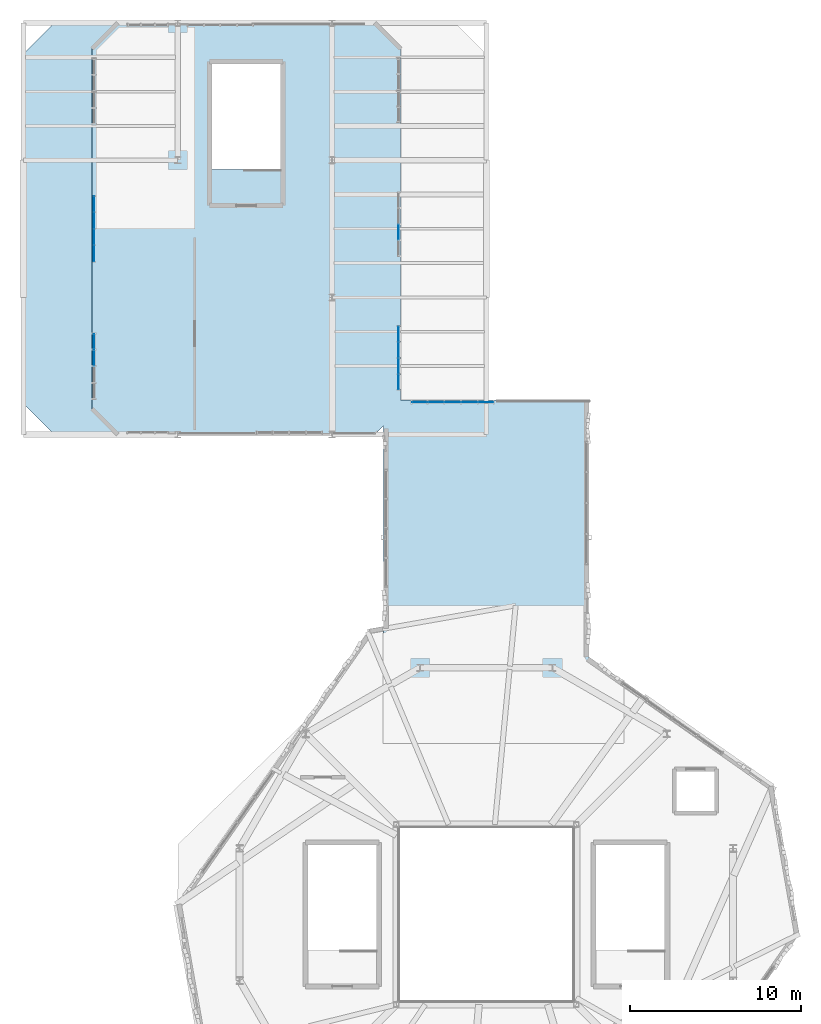
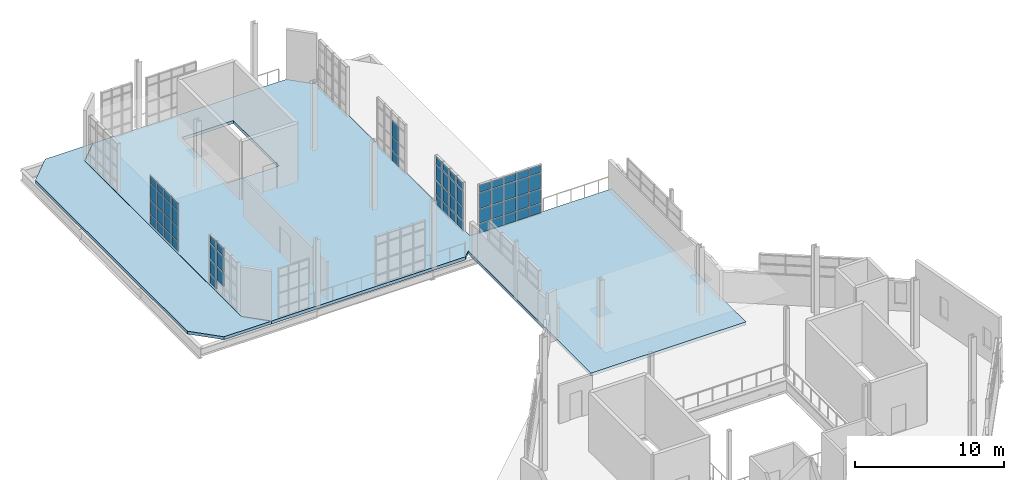
# One storey, part 29 of 36: 62 plates, 2 slabs, 5 elements without a shape of their own.
"""IFC4 building model written with IfcOpenShell, lengths in metres."""

from ifc_helpers import new_model, si_unit, direction, frame, origin, origin_2d, place, context, subcontext, project, spatial, polyline, rectangle, outline, extrude, material, layer, layer_set, type_object, element, aggregate, save


model = new_model("IFC4")

# Units and contexts
model_context = context("Model", 3, precision=1e-05, world=origin(), true_north=direction((0.0, 1.0)))
body_context = subcontext(model_context, "Body", "Model", "MODEL_VIEW")
ifc_project = project(units=[si_unit("LENGTHUNIT", "METRE"), si_unit("AREAUNIT", "SQUARE_METRE"), si_unit("VOLUMEUNIT", "CUBIC_METRE"), si_unit("PLANEANGLEUNIT", "RADIAN"), si_unit("MASSUNIT", "GRAM", prefix="KILO"), si_unit("THERMODYNAMICTEMPERATUREUNIT", "KELVIN"), si_unit("POWERUNIT", "WATT")], contexts=[model_context])

# Site, building, storey
site_placement = place(None, origin())
site = spatial("IfcSite", under=ifc_project, at=site_placement, CompositionType="ELEMENT")
building_placement = place(site_placement, origin())
building = spatial("IfcBuilding", under=site, at=building_placement, Name="Zelmaris Science Centre", CompositionType="ELEMENT")
storey_placement = place(building_placement, frame((0.0, 0.0, 25.199951171875)))
storey = spatial("IfcBuildingStorey", under=building, at=storey_placement, Name="L05", CompositionType="ELEMENT", Elevation=25.199951171875)

# Curtain wall, plates
ifc_material_1 = material(Name="Anodised architectural aluminium 6063-T6", Category="aluminium")
ifc_layer_1 = layer(ifc_material_1, 0.18994140625, Name="Anodised architectural aluminium 6063-T6")
ifc_layer_set_1 = layer_set([ifc_layer_1], Name="Anodised architectural aluminium 6063-T6")
curtain_wall_type_1 = type_object("IfcCurtainWallType", Name="Curtain Wall CW-01", PredefinedType="USERDEFINED", material=ifc_layer_set_1)
curtain_wall_1_placement = place(storey_placement, origin())
curtain_wall_1 = element("IfcCurtainWall", 1, at=curtain_wall_1_placement, inside=storey, type_object=curtain_wall_type_1, Name="L05 Unitised curtain wall 365", ObjectType="GLAZED CURTAIN WALL", PredefinedType="USERDEFINED")
ifc_material_2 = material(Name="Laminated hurricane-rated low-E insulated glazing", Category="glass")
ifc_layer_2 = layer(ifc_material_2, 0.031982421875, Name="Laminated hurricane-rated low-E insulated glazing")
ifc_layer_set_2 = layer_set([ifc_layer_2], Name="Laminated hurricane-rated low-E insulated glazing")
plate_type_1 = type_object("IfcPlateType", Name="Curtain Glazing Panel CWP-1 32mm", PredefinedType="CURTAIN_PANEL", material=ifc_layer_set_2)
plate_1_placement = place(storey_placement, frame((75.885498046875, 69.86279296875, 0.05712890625), z_axis=(0.0, 0.0, 1.0), x_axis=(0.00039662601, -0.999999921344, 0.0)))
plate_1 = element("IfcPlate", 2, at=plate_1_placement, type_object=plate_type_1, Name="CW-01 panel 1.1", PredefinedType="CURTAIN_PANEL", context=body_context, shape_type="SweptSolid", body=[
    extrude(rectangle(XDim=0.83740234375, YDim=0.031982421875, at=origin_2d()), origin(), (0.0, 0.0, 1.0), 0.741943359375),
])
plate_2_placement = place(storey_placement, frame((75.885498046875, 69.86279296875, 0.87109375), z_axis=(0.0, 0.0, 1.0), x_axis=(0.00039662601, -0.999999921344, 0.0)))
plate_2 = element("IfcPlate", 3, at=plate_2_placement, type_object=plate_type_1, Name="CW-01 panel 1.2", PredefinedType="CURTAIN_PANEL", context=body_context, shape_type="SweptSolid", body=[
    extrude(rectangle(XDim=0.83740234375, YDim=0.031982421875, at=origin_2d()), origin(), (0.0, 0.0, 1.0), 1.10546875),
])
plate_3_placement = place(storey_placement, frame((75.885498046875, 69.86279296875, 2.04833984375), z_axis=(0.0, 0.0, 1.0), x_axis=(0.00039662601, -0.999999921344, 0.0)))
plate_3 = element("IfcPlate", 4, at=plate_3_placement, type_object=plate_type_1, Name="CW-01 panel 1.3", PredefinedType="CURTAIN_PANEL", context=body_context, shape_type="SweptSolid", body=[
    extrude(rectangle(XDim=0.83740234375, YDim=0.031982421875, at=origin_2d()), origin(), (0.0, 0.0, 1.0), 1.255615234375),
])
plate_4_placement = place(storey_placement, frame((75.885498046875, 69.86279296875, 3.3759765625), z_axis=(0.0, 0.0, 1.0), x_axis=(0.00039662601, -0.999999921344, 0.0)))
plate_4 = element("IfcPlate", 5, at=plate_4_placement, type_object=plate_type_1, Name="CW-01 panel 1.4", PredefinedType="CURTAIN_PANEL", context=body_context, shape_type="SweptSolid", body=[
    extrude(rectangle(XDim=0.83740234375, YDim=0.031982421875, at=origin_2d()), origin(), (0.0, 0.0, 1.0), 0.592041015625),
])
plate_5_placement = place(storey_placement, frame((75.885986328125, 68.935302734375, 0.05712890625), z_axis=(0.0, 0.0, 1.0), x_axis=(0.00039662601, -0.999999921344, 0.0)))
plate_5 = element("IfcPlate", 6, at=plate_5_placement, type_object=plate_type_1, Name="CW-01 panel 2.1", PredefinedType="CURTAIN_PANEL", context=body_context, shape_type="SweptSolid", body=[
    extrude(rectangle(XDim=0.87353515625, YDim=0.031982421875, at=origin_2d()), origin(), (0.0, 0.0, 1.0), 0.741943359375),
])
plate_6_placement = place(storey_placement, frame((75.885986328125, 68.935302734375, 0.87109375), z_axis=(0.0, 0.0, 1.0), x_axis=(0.00039662601, -0.999999921344, 0.0)))
plate_6 = element("IfcPlate", 7, at=plate_6_placement, type_object=plate_type_1, Name="CW-01 panel 2.2", PredefinedType="CURTAIN_PANEL", context=body_context, shape_type="SweptSolid", body=[
    extrude(rectangle(XDim=0.87353515625, YDim=0.031982421875, at=origin_2d()), origin(), (0.0, 0.0, 1.0), 1.10546875),
])
plate_7_placement = place(storey_placement, frame((75.885986328125, 68.935302734375, 2.04833984375), z_axis=(0.0, 0.0, 1.0), x_axis=(0.00039662601, -0.999999921344, 0.0)))
plate_7 = element("IfcPlate", 8, at=plate_7_placement, type_object=plate_type_1, Name="CW-01 panel 2.3", PredefinedType="CURTAIN_PANEL", context=body_context, shape_type="SweptSolid", body=[
    extrude(rectangle(XDim=0.87353515625, YDim=0.031982421875, at=origin_2d()), origin(), (0.0, 0.0, 1.0), 1.255615234375),
])
plate_8_placement = place(storey_placement, frame((75.885986328125, 68.935302734375, 3.3759765625), z_axis=(0.0, 0.0, 1.0), x_axis=(0.00039662601, -0.999999921344, 0.0)))
plate_8 = element("IfcPlate", 9, at=plate_8_placement, type_object=plate_type_1, Name="CW-01 panel 2.4", PredefinedType="CURTAIN_PANEL", context=body_context, shape_type="SweptSolid", body=[
    extrude(rectangle(XDim=0.87353515625, YDim=0.031982421875, at=origin_2d()), origin(), (0.0, 0.0, 1.0), 0.592041015625),
])
plate_9_placement = place(storey_placement, frame((75.88623046875, 67.989990234375, 0.05712890625), z_axis=(0.0, 0.0, 1.0), x_axis=(0.00039662601, -0.999999921344, 0.0)))
plate_9 = element("IfcPlate", 10, at=plate_9_placement, type_object=plate_type_1, Name="CW-01 panel 3.1", PredefinedType="CURTAIN_PANEL", context=body_context, shape_type="SweptSolid", body=[
    extrude(rectangle(XDim=0.87353515625, YDim=0.031982421875, at=origin_2d()), origin(), (0.0, 0.0, 1.0), 0.741943359375),
])
plate_10_placement = place(storey_placement, frame((75.88623046875, 67.989990234375, 0.87109375), z_axis=(0.0, 0.0, 1.0), x_axis=(0.00039662601, -0.999999921344, 0.0)))
plate_10 = element("IfcPlate", 11, at=plate_10_placement, type_object=plate_type_1, Name="CW-01 panel 3.2", PredefinedType="CURTAIN_PANEL", context=body_context, shape_type="SweptSolid", body=[
    extrude(rectangle(XDim=0.87353515625, YDim=0.031982421875, at=origin_2d()), origin(), (0.0, 0.0, 1.0), 1.10546875),
])
plate_11_placement = place(storey_placement, frame((75.88623046875, 67.989990234375, 2.04833984375), z_axis=(0.0, 0.0, 1.0), x_axis=(0.00039662601, -0.999999921344, 0.0)))
plate_11 = element("IfcPlate", 12, at=plate_11_placement, type_object=plate_type_1, Name="CW-01 panel 3.3", PredefinedType="CURTAIN_PANEL", context=body_context, shape_type="SweptSolid", body=[
    extrude(rectangle(XDim=0.87353515625, YDim=0.031982421875, at=origin_2d()), origin(), (0.0, 0.0, 1.0), 1.255615234375),
])
plate_12_placement = place(storey_placement, frame((75.88623046875, 67.989990234375, 3.3759765625), z_axis=(0.0, 0.0, 1.0), x_axis=(0.00039662601, -0.999999921344, 0.0)))
plate_12 = element("IfcPlate", 13, at=plate_12_placement, type_object=plate_type_1, Name="CW-01 panel 3.4", PredefinedType="CURTAIN_PANEL", context=body_context, shape_type="SweptSolid", body=[
    extrude(rectangle(XDim=0.87353515625, YDim=0.031982421875, at=origin_2d()), origin(), (0.0, 0.0, 1.0), 0.592041015625),
])
plate_13_placement = place(storey_placement, frame((75.88671875, 67.0625, 0.05712890625), z_axis=(0.0, 0.0, 1.0), x_axis=(0.00039662601, -0.999999921344, 0.0)))
plate_13 = element("IfcPlate", 14, at=plate_13_placement, type_object=plate_type_1, Name="CW-01 panel 4.1", PredefinedType="CURTAIN_PANEL", context=body_context, shape_type="SweptSolid", body=[
    extrude(rectangle(XDim=0.83740234375, YDim=0.031982421875, at=origin_2d()), origin(), (0.0, 0.0, 1.0), 0.741943359375),
])
plate_14_placement = place(storey_placement, frame((75.88671875, 67.0625, 0.87109375), z_axis=(0.0, 0.0, 1.0), x_axis=(0.00039662601, -0.999999921344, 0.0)))
plate_14 = element("IfcPlate", 15, at=plate_14_placement, type_object=plate_type_1, Name="CW-01 panel 4.2", PredefinedType="CURTAIN_PANEL", context=body_context, shape_type="SweptSolid", body=[
    extrude(rectangle(XDim=0.83740234375, YDim=0.031982421875, at=origin_2d()), origin(), (0.0, 0.0, 1.0), 1.10546875),
])
plate_15_placement = place(storey_placement, frame((75.88671875, 67.0625, 2.04833984375), z_axis=(0.0, 0.0, 1.0), x_axis=(0.00039662601, -0.999999921344, 0.0)))
plate_15 = element("IfcPlate", 16, at=plate_15_placement, type_object=plate_type_1, Name="CW-01 panel 4.3", PredefinedType="CURTAIN_PANEL", context=body_context, shape_type="SweptSolid", body=[
    extrude(rectangle(XDim=0.83740234375, YDim=0.031982421875, at=origin_2d()), origin(), (0.0, 0.0, 1.0), 1.255615234375),
])
plate_16_placement = place(storey_placement, frame((75.88671875, 67.0625, 3.3759765625), z_axis=(0.0, 0.0, 1.0), x_axis=(0.00039662601, -0.999999921344, 0.0)))
plate_16 = element("IfcPlate", 17, at=plate_16_placement, type_object=plate_type_1, Name="CW-01 panel 4.4", PredefinedType="CURTAIN_PANEL", context=body_context, shape_type="SweptSolid", body=[
    extrude(rectangle(XDim=0.83740234375, YDim=0.031982421875, at=origin_2d()), origin(), (0.0, 0.0, 1.0), 0.592041015625),
])
aggregate(curtain_wall_1, [plate_1, plate_2, plate_3, plate_4, plate_5, plate_6, plate_7, plate_8, plate_9, plate_10, plate_11, plate_12, plate_13, plate_14, plate_15, plate_16])

curtain_wall_2_placement = place(storey_placement, origin())
curtain_wall_2 = element("IfcCurtainWall", 18, at=curtain_wall_2_placement, inside=storey, type_object=curtain_wall_type_1, Name="L05 Unitised curtain wall 377", ObjectType="GLAZED CURTAIN WALL", PredefinedType="USERDEFINED")
plate_17_placement = place(storey_placement, frame((58.1201171875, 68.4697265625, 0.87109375), z_axis=(0.0, 0.0, 1.0), x_axis=(0.0, 1.0, 0.0)))
plate_17 = element("IfcPlate", 19, at=plate_17_placement, type_object=plate_type_1, Name="CW-01 panel 3.2", PredefinedType="CURTAIN_PANEL", context=body_context, shape_type="SweptSolid", body=[
    extrude(rectangle(XDim=0.89990234375, YDim=0.031982421875, at=origin_2d()), origin(), (0.0, 0.0, 1.0), 1.10546875),
])
plate_18_placement = place(storey_placement, frame((58.1201171875, 68.4697265625, 2.04833984375), z_axis=(0.0, 0.0, 1.0), x_axis=(0.0, 1.0, 0.0)))
plate_18 = element("IfcPlate", 20, at=plate_18_placement, type_object=plate_type_1, Name="CW-01 panel 3.3", PredefinedType="CURTAIN_PANEL", context=body_context, shape_type="SweptSolid", body=[
    extrude(rectangle(XDim=0.89990234375, YDim=0.031982421875, at=origin_2d()), origin(), (0.0, 0.0, 1.0), 1.255615234375),
])
plate_19_placement = place(storey_placement, frame((58.1201171875, 68.4697265625, 3.3759765625), z_axis=(0.0, 0.0, 1.0), x_axis=(0.0, 1.0, 0.0)))
plate_19 = element("IfcPlate", 21, at=plate_19_placement, type_object=plate_type_1, Name="CW-01 panel 3.4", PredefinedType="CURTAIN_PANEL", context=body_context, shape_type="SweptSolid", body=[
    extrude(rectangle(XDim=0.89990234375, YDim=0.031982421875, at=origin_2d()), origin(), (0.0, 0.0, 1.0), 0.592041015625),
])
plate_20_placement = place(storey_placement, frame((58.1201171875, 69.423828125, 0.05712890625), z_axis=(0.0, 0.0, 1.0), x_axis=(0.0, 1.0, 0.0)))
plate_20 = element("IfcPlate", 22, at=plate_20_placement, type_object=plate_type_1, Name="CW-01 panel 4.1", PredefinedType="CURTAIN_PANEL", context=body_context, shape_type="SweptSolid", body=[
    extrude(rectangle(XDim=0.864013671875, YDim=0.031982421875, at=origin_2d()), origin(), (0.0, 0.0, 1.0), 0.741943359375),
])
plate_21_placement = place(storey_placement, frame((58.1201171875, 69.423828125, 0.87109375), z_axis=(0.0, 0.0, 1.0), x_axis=(0.0, 1.0, 0.0)))
plate_21 = element("IfcPlate", 23, at=plate_21_placement, type_object=plate_type_1, Name="CW-01 panel 4.2", PredefinedType="CURTAIN_PANEL", context=body_context, shape_type="SweptSolid", body=[
    extrude(rectangle(XDim=0.864013671875, YDim=0.031982421875, at=origin_2d()), origin(), (0.0, 0.0, 1.0), 1.10546875),
])
plate_22_placement = place(storey_placement, frame((58.1201171875, 69.423828125, 2.04833984375), z_axis=(0.0, 0.0, 1.0), x_axis=(0.0, 1.0, 0.0)))
plate_22 = element("IfcPlate", 24, at=plate_22_placement, type_object=plate_type_1, Name="CW-01 panel 4.3", PredefinedType="CURTAIN_PANEL", context=body_context, shape_type="SweptSolid", body=[
    extrude(rectangle(XDim=0.864013671875, YDim=0.031982421875, at=origin_2d()), origin(), (0.0, 0.0, 1.0), 1.255615234375),
])
plate_23_placement = place(storey_placement, frame((58.1201171875, 69.423828125, 3.3759765625), z_axis=(0.0, 0.0, 1.0), x_axis=(0.0, 1.0, 0.0)))
plate_23 = element("IfcPlate", 25, at=plate_23_placement, type_object=plate_type_1, Name="CW-01 panel 4.4", PredefinedType="CURTAIN_PANEL", context=body_context, shape_type="SweptSolid", body=[
    extrude(rectangle(XDim=0.864013671875, YDim=0.031982421875, at=origin_2d()), origin(), (0.0, 0.0, 1.0), 0.592041015625),
])
aggregate(curtain_wall_2, [plate_17, plate_18, plate_19, plate_20, plate_21, plate_22, plate_23])

ifc_layer_3 = layer(ifc_material_1, 0.199951171875, Name="Anodised architectural aluminium 6063-T6")
ifc_layer_set_3 = layer_set([ifc_layer_3], Name="Anodised architectural aluminium 6063-T6")
curtain_wall_type_2 = type_object("IfcCurtainWallType", Name="Curtain Wall CW-02", PredefinedType="USERDEFINED", material=ifc_layer_set_3)
curtain_wall_3_placement = place(storey_placement, origin())
curtain_wall_3 = element("IfcCurtainWall", 26, at=curtain_wall_3_placement, inside=storey, type_object=curtain_wall_type_2, Name="L05 Unitised curtain wall 366", ObjectType="GLAZED CURTAIN WALL", PredefinedType="USERDEFINED")
ifc_layer_4 = layer(ifc_material_2, 0.028076171875, Name="Laminated hurricane-rated low-E insulated glazing")
ifc_layer_set_4 = layer_set([ifc_layer_4], Name="Laminated hurricane-rated low-E insulated glazing")
plate_type_2 = type_object("IfcPlateType", Name="Curtain Glazing Panel CWP-2 28mm", PredefinedType="CURTAIN_PANEL", material=ifc_layer_set_4)
plate_24_placement = place(storey_placement, frame((77.103759765625, 65.8798828125, 0.052001953125), z_axis=(0.0, 0.0, 1.0), x_axis=(1.0, 0.0, 0.0)))
plate_24 = element("IfcPlate", 27, at=plate_24_placement, type_object=plate_type_2, Name="CW-02 panel 1.1", PredefinedType="CURTAIN_PANEL", context=body_context, shape_type="SweptSolid", body=[
    extrude(rectangle(XDim=0.87353515625, YDim=0.028076171875, at=origin_2d()), origin(), (0.0, 0.0, 1.0), 0.74951171875),
])
plate_25_placement = place(storey_placement, frame((77.103759765625, 65.8798828125, 0.86865234375), z_axis=(0.0, 0.0, 1.0), x_axis=(1.0, 0.0, 0.0)))
plate_25 = element("IfcPlate", 28, at=plate_25_placement, type_object=plate_type_2, Name="CW-02 panel 1.2", PredefinedType="CURTAIN_PANEL", context=body_context, shape_type="SweptSolid", body=[
    extrude(rectangle(XDim=0.87353515625, YDim=0.028076171875, at=origin_2d()), origin(), (0.0, 0.0, 1.0), 1.110595703125),
])
plate_26_placement = place(storey_placement, frame((77.103759765625, 65.8798828125, 2.0458984375), z_axis=(0.0, 0.0, 1.0), x_axis=(1.0, 0.0, 0.0)))
plate_26 = element("IfcPlate", 29, at=plate_26_placement, type_object=plate_type_2, Name="CW-02 panel 1.3", PredefinedType="CURTAIN_PANEL", context=body_context, shape_type="SweptSolid", body=[
    extrude(rectangle(XDim=0.87353515625, YDim=0.028076171875, at=origin_2d()), origin(), (0.0, 0.0, 1.0), 1.260498046875),
])
plate_27_placement = place(storey_placement, frame((77.103759765625, 65.8798828125, 3.37353515625), z_axis=(0.0, 0.0, 1.0), x_axis=(1.0, 0.0, 0.0)))
plate_27 = element("IfcPlate", 30, at=plate_27_placement, type_object=plate_type_2, Name="CW-02 panel 1.4", PredefinedType="CURTAIN_PANEL", context=body_context, shape_type="SweptSolid", body=[
    extrude(rectangle(XDim=0.87353515625, YDim=0.028076171875, at=origin_2d()), origin(), (0.0, 0.0, 1.0), 0.599609375),
])
plate_28_placement = place(storey_placement, frame((78.06103515625, 65.8798828125, 0.052001953125), z_axis=(0.0, 0.0, 1.0), x_axis=(1.0, 0.0, 0.0)))
plate_28 = element("IfcPlate", 31, at=plate_28_placement, type_object=plate_type_2, Name="CW-02 panel 2.1", PredefinedType="CURTAIN_PANEL", context=body_context, shape_type="SweptSolid", body=[
    extrude(rectangle(XDim=0.906982421875, YDim=0.028076171875, at=origin_2d()), origin(), (0.0, 0.0, 1.0), 0.74951171875),
])
plate_29_placement = place(storey_placement, frame((78.06103515625, 65.8798828125, 0.86865234375), z_axis=(0.0, 0.0, 1.0), x_axis=(1.0, 0.0, 0.0)))
plate_29 = element("IfcPlate", 32, at=plate_29_placement, type_object=plate_type_2, Name="CW-02 panel 2.2", PredefinedType="CURTAIN_PANEL", context=body_context, shape_type="SweptSolid", body=[
    extrude(rectangle(XDim=0.906982421875, YDim=0.028076171875, at=origin_2d()), origin(), (0.0, 0.0, 1.0), 1.110595703125),
])
plate_30_placement = place(storey_placement, frame((78.06103515625, 65.8798828125, 2.0458984375), z_axis=(0.0, 0.0, 1.0), x_axis=(1.0, 0.0, 0.0)))
plate_30 = element("IfcPlate", 33, at=plate_30_placement, type_object=plate_type_2, Name="CW-02 panel 2.3", PredefinedType="CURTAIN_PANEL", context=body_context, shape_type="SweptSolid", body=[
    extrude(rectangle(XDim=0.906982421875, YDim=0.028076171875, at=origin_2d()), origin(), (0.0, 0.0, 1.0), 1.260498046875),
])
plate_31_placement = place(storey_placement, frame((78.06103515625, 65.8798828125, 3.37353515625), z_axis=(0.0, 0.0, 1.0), x_axis=(1.0, 0.0, 0.0)))
plate_31 = element("IfcPlate", 34, at=plate_31_placement, type_object=plate_type_2, Name="CW-02 panel 2.4", PredefinedType="CURTAIN_PANEL", context=body_context, shape_type="SweptSolid", body=[
    extrude(rectangle(XDim=0.906982421875, YDim=0.028076171875, at=origin_2d()), origin(), (0.0, 0.0, 1.0), 0.599609375),
])
plate_32_placement = place(storey_placement, frame((79.034912109375, 65.8798828125, 0.052001953125), z_axis=(0.0, 0.0, 1.0), x_axis=(1.0, 0.0, 0.0)))
plate_32 = element("IfcPlate", 35, at=plate_32_placement, type_object=plate_type_2, Name="CW-02 panel 3.1", PredefinedType="CURTAIN_PANEL", context=body_context, shape_type="SweptSolid", body=[
    extrude(rectangle(XDim=0.906982421875, YDim=0.028076171875, at=origin_2d()), origin(), (0.0, 0.0, 1.0), 0.74951171875),
])
plate_33_placement = place(storey_placement, frame((79.034912109375, 65.8798828125, 0.86865234375), z_axis=(0.0, 0.0, 1.0), x_axis=(1.0, 0.0, 0.0)))
plate_33 = element("IfcPlate", 36, at=plate_33_placement, type_object=plate_type_2, Name="CW-02 panel 3.2", PredefinedType="CURTAIN_PANEL", context=body_context, shape_type="SweptSolid", body=[
    extrude(rectangle(XDim=0.906982421875, YDim=0.028076171875, at=origin_2d()), origin(), (0.0, 0.0, 1.0), 1.110595703125),
])
plate_34_placement = place(storey_placement, frame((79.034912109375, 65.8798828125, 2.0458984375), z_axis=(0.0, 0.0, 1.0), x_axis=(1.0, 0.0, 0.0)))
plate_34 = element("IfcPlate", 37, at=plate_34_placement, type_object=plate_type_2, Name="CW-02 panel 3.3", PredefinedType="CURTAIN_PANEL", context=body_context, shape_type="SweptSolid", body=[
    extrude(rectangle(XDim=0.906982421875, YDim=0.028076171875, at=origin_2d()), origin(), (0.0, 0.0, 1.0), 1.260498046875),
])
plate_35_placement = place(storey_placement, frame((79.034912109375, 65.8798828125, 3.37353515625), z_axis=(0.0, 0.0, 1.0), x_axis=(1.0, 0.0, 0.0)))
plate_35 = element("IfcPlate", 38, at=plate_35_placement, type_object=plate_type_2, Name="CW-02 panel 3.4", PredefinedType="CURTAIN_PANEL", context=body_context, shape_type="SweptSolid", body=[
    extrude(rectangle(XDim=0.906982421875, YDim=0.028076171875, at=origin_2d()), origin(), (0.0, 0.0, 1.0), 0.599609375),
])
plate_36_placement = place(storey_placement, frame((80.009033203125, 65.8798828125, 0.052001953125), z_axis=(0.0, 0.0, 1.0), x_axis=(1.0, 0.0, 0.0)))
plate_36 = element("IfcPlate", 39, at=plate_36_placement, type_object=plate_type_2, Name="CW-02 panel 4.1", PredefinedType="CURTAIN_PANEL", context=body_context, shape_type="SweptSolid", body=[
    extrude(rectangle(XDim=0.906982421875, YDim=0.028076171875, at=origin_2d()), origin(), (0.0, 0.0, 1.0), 0.74951171875),
])
plate_37_placement = place(storey_placement, frame((80.009033203125, 65.8798828125, 0.86865234375), z_axis=(0.0, 0.0, 1.0), x_axis=(1.0, 0.0, 0.0)))
plate_37 = element("IfcPlate", 40, at=plate_37_placement, type_object=plate_type_2, Name="CW-02 panel 4.2", PredefinedType="CURTAIN_PANEL", context=body_context, shape_type="SweptSolid", body=[
    extrude(rectangle(XDim=0.906982421875, YDim=0.028076171875, at=origin_2d()), origin(), (0.0, 0.0, 1.0), 1.110595703125),
])
plate_38_placement = place(storey_placement, frame((80.009033203125, 65.8798828125, 2.0458984375), z_axis=(0.0, 0.0, 1.0), x_axis=(1.0, 0.0, 0.0)))
plate_38 = element("IfcPlate", 41, at=plate_38_placement, type_object=plate_type_2, Name="CW-02 panel 4.3", PredefinedType="CURTAIN_PANEL", context=body_context, shape_type="SweptSolid", body=[
    extrude(rectangle(XDim=0.906982421875, YDim=0.028076171875, at=origin_2d()), origin(), (0.0, 0.0, 1.0), 1.260498046875),
])
plate_39_placement = place(storey_placement, frame((80.009033203125, 65.8798828125, 3.37353515625), z_axis=(0.0, 0.0, 1.0), x_axis=(1.0, 0.0, 0.0)))
plate_39 = element("IfcPlate", 42, at=plate_39_placement, type_object=plate_type_2, Name="CW-02 panel 4.4", PredefinedType="CURTAIN_PANEL", context=body_context, shape_type="SweptSolid", body=[
    extrude(rectangle(XDim=0.906982421875, YDim=0.028076171875, at=origin_2d()), origin(), (0.0, 0.0, 1.0), 0.599609375),
])
plate_40_placement = place(storey_placement, frame((80.96630859375, 65.8798828125, 0.052001953125), z_axis=(0.0, 0.0, 1.0), x_axis=(1.0, 0.0, 0.0)))
plate_40 = element("IfcPlate", 43, at=plate_40_placement, type_object=plate_type_2, Name="CW-02 panel 5.1", PredefinedType="CURTAIN_PANEL", context=body_context, shape_type="SweptSolid", body=[
    extrude(rectangle(XDim=0.87353515625, YDim=0.028076171875, at=origin_2d()), origin(), (0.0, 0.0, 1.0), 0.74951171875),
])
plate_41_placement = place(storey_placement, frame((80.96630859375, 65.8798828125, 0.86865234375), z_axis=(0.0, 0.0, 1.0), x_axis=(1.0, 0.0, 0.0)))
plate_41 = element("IfcPlate", 44, at=plate_41_placement, type_object=plate_type_2, Name="CW-02 panel 5.2", PredefinedType="CURTAIN_PANEL", context=body_context, shape_type="SweptSolid", body=[
    extrude(rectangle(XDim=0.87353515625, YDim=0.028076171875, at=origin_2d()), origin(), (0.0, 0.0, 1.0), 1.110595703125),
])
plate_42_placement = place(storey_placement, frame((80.96630859375, 65.8798828125, 2.0458984375), z_axis=(0.0, 0.0, 1.0), x_axis=(1.0, 0.0, 0.0)))
plate_42 = element("IfcPlate", 45, at=plate_42_placement, type_object=plate_type_2, Name="CW-02 panel 5.3", PredefinedType="CURTAIN_PANEL", context=body_context, shape_type="SweptSolid", body=[
    extrude(rectangle(XDim=0.87353515625, YDim=0.028076171875, at=origin_2d()), origin(), (0.0, 0.0, 1.0), 1.260498046875),
])
plate_43_placement = place(storey_placement, frame((80.96630859375, 65.8798828125, 3.37353515625), z_axis=(0.0, 0.0, 1.0), x_axis=(1.0, 0.0, 0.0)))
plate_43 = element("IfcPlate", 46, at=plate_43_placement, type_object=plate_type_2, Name="CW-02 panel 5.4", PredefinedType="CURTAIN_PANEL", context=body_context, shape_type="SweptSolid", body=[
    extrude(rectangle(XDim=0.87353515625, YDim=0.028076171875, at=origin_2d()), origin(), (0.0, 0.0, 1.0), 0.599609375),
])
aggregate(curtain_wall_3, [plate_24, plate_25, plate_26, plate_27, plate_28, plate_29, plate_30, plate_31, plate_32, plate_33, plate_34, plate_35, plate_36, plate_37, plate_38, plate_39, plate_40, plate_41, plate_42, plate_43])

ifc_layer_5 = layer(ifc_material_1, 0.2099609375, Name="Anodised architectural aluminium 6063-T6")
ifc_layer_set_5 = layer_set([ifc_layer_5], Name="Anodised architectural aluminium 6063-T6")
curtain_wall_type_3 = type_object("IfcCurtainWallType", Name="Curtain Wall CW-03", PredefinedType="USERDEFINED", material=ifc_layer_set_5)
curtain_wall_4_placement = place(storey_placement, origin())
curtain_wall_4 = element("IfcCurtainWall", 47, at=curtain_wall_4_placement, inside=storey, type_object=curtain_wall_type_3, Name="L05 Unitised curtain wall 363", ObjectType="GLAZED CURTAIN WALL", PredefinedType="USERDEFINED")
ifc_layer_6 = layer(ifc_material_2, 0.02587890625, Name="Laminated hurricane-rated low-E insulated glazing")
ifc_layer_set_6 = layer_set([ifc_layer_6], Name="Laminated hurricane-rated low-E insulated glazing")
plate_type_3 = type_object("IfcPlateType", Name="Curtain Glazing Panel CWP-3 26mm", PredefinedType="CURTAIN_PANEL", material=ifc_layer_set_6)
plate_44_placement = place(storey_placement, frame((75.88330078125, 75.793701171875, 0.0419921875), z_axis=(0.0, 0.0, 1.0), x_axis=(0.00039662601, -0.999999921344, 0.0)))
plate_44 = element("IfcPlate", 48, at=plate_44_placement, type_object=plate_type_3, Name="CW-03 panel 3.1", PredefinedType="CURTAIN_PANEL", context=body_context, shape_type="SweptSolid", body=[
    extrude(rectangle(XDim=0.888427734375, YDim=0.02587890625, at=origin_2d()), origin(), (0.0, 0.0, 1.0), 0.764404296875),
])
plate_45_placement = place(storey_placement, frame((75.88330078125, 75.793701171875, 0.863525390625), z_axis=(0.0, 0.0, 1.0), x_axis=(0.00039662601, -0.999999921344, 0.0)))
plate_45 = element("IfcPlate", 49, at=plate_45_placement, type_object=plate_type_3, Name="CW-03 panel 3.2", PredefinedType="CURTAIN_PANEL", context=body_context, shape_type="SweptSolid", body=[
    extrude(rectangle(XDim=0.888427734375, YDim=0.02587890625, at=origin_2d()), origin(), (0.0, 0.0, 1.0), 1.12060546875),
])
plate_46_placement = place(storey_placement, frame((75.88330078125, 75.793701171875, 2.041015625), z_axis=(0.0, 0.0, 1.0), x_axis=(0.00039662601, -0.999999921344, 0.0)))
plate_46 = element("IfcPlate", 50, at=plate_46_placement, type_object=plate_type_3, Name="CW-03 panel 3.3", PredefinedType="CURTAIN_PANEL", context=body_context, shape_type="SweptSolid", body=[
    extrude(rectangle(XDim=0.888427734375, YDim=0.02587890625, at=origin_2d()), origin(), (0.0, 0.0, 1.0), 1.2705078125),
])
aggregate(curtain_wall_4, [plate_44, plate_45, plate_46])

curtain_wall_5_placement = place(storey_placement, origin())
curtain_wall_5 = element("IfcCurtainWall", 51, at=curtain_wall_5_placement, inside=storey, type_object=curtain_wall_type_3, Name="L05 Unitised curtain wall 379", ObjectType="GLAZED CURTAIN WALL", PredefinedType="USERDEFINED")
plate_47_placement = place(storey_placement, frame((58.1201171875, 74.5556640625, 0.0419921875), z_axis=(0.0, 0.0, 1.0), x_axis=(0.0, 1.0, 0.0)))
plate_47 = element("IfcPlate", 52, at=plate_47_placement, type_object=plate_type_3, Name="CW-03 panel 1.1", PredefinedType="CURTAIN_PANEL", context=body_context, shape_type="SweptSolid", body=[
    extrude(rectangle(XDim=0.886474609375, YDim=0.02587890625, at=origin_2d()), origin(), (0.0, 0.0, 1.0), 0.764404296875),
])
plate_48_placement = place(storey_placement, frame((58.1201171875, 74.5556640625, 0.863525390625), z_axis=(0.0, 0.0, 1.0), x_axis=(0.0, 1.0, 0.0)))
plate_48 = element("IfcPlate", 53, at=plate_48_placement, type_object=plate_type_3, Name="CW-03 panel 1.2", PredefinedType="CURTAIN_PANEL", context=body_context, shape_type="SweptSolid", body=[
    extrude(rectangle(XDim=0.886474609375, YDim=0.02587890625, at=origin_2d()), origin(), (0.0, 0.0, 1.0), 1.12060546875),
])
plate_49_placement = place(storey_placement, frame((58.1201171875, 74.5556640625, 2.041015625), z_axis=(0.0, 0.0, 1.0), x_axis=(0.0, 1.0, 0.0)))
plate_49 = element("IfcPlate", 54, at=plate_49_placement, type_object=plate_type_3, Name="CW-03 panel 1.3", PredefinedType="CURTAIN_PANEL", context=body_context, shape_type="SweptSolid", body=[
    extrude(rectangle(XDim=0.886474609375, YDim=0.02587890625, at=origin_2d()), origin(), (0.0, 0.0, 1.0), 1.2705078125),
])
plate_50_placement = place(storey_placement, frame((58.1201171875, 74.5556640625, 3.36865234375), z_axis=(0.0, 0.0, 1.0), x_axis=(0.0, 1.0, 0.0)))
plate_50 = element("IfcPlate", 55, at=plate_50_placement, type_object=plate_type_3, Name="CW-03 panel 1.4", PredefinedType="CURTAIN_PANEL", context=body_context, shape_type="SweptSolid", body=[
    extrude(rectangle(XDim=0.886474609375, YDim=0.02587890625, at=origin_2d()), origin(), (0.0, 0.0, 1.0), 0.614501953125),
])
plate_51_placement = place(storey_placement, frame((58.1201171875, 75.51318359375, 0.0419921875), z_axis=(0.0, 0.0, 1.0), x_axis=(0.0, 1.0, 0.0)))
plate_51 = element("IfcPlate", 56, at=plate_51_placement, type_object=plate_type_3, Name="CW-03 panel 2.1", PredefinedType="CURTAIN_PANEL", context=body_context, shape_type="SweptSolid", body=[
    extrude(rectangle(XDim=0.9150390625, YDim=0.02587890625, at=origin_2d()), origin(), (0.0, 0.0, 1.0), 0.764404296875),
])
plate_52_placement = place(storey_placement, frame((58.1201171875, 75.51318359375, 0.863525390625), z_axis=(0.0, 0.0, 1.0), x_axis=(0.0, 1.0, 0.0)))
plate_52 = element("IfcPlate", 57, at=plate_52_placement, type_object=plate_type_3, Name="CW-03 panel 2.2", PredefinedType="CURTAIN_PANEL", context=body_context, shape_type="SweptSolid", body=[
    extrude(rectangle(XDim=0.9150390625, YDim=0.02587890625, at=origin_2d()), origin(), (0.0, 0.0, 1.0), 1.12060546875),
])
plate_53_placement = place(storey_placement, frame((58.1201171875, 75.51318359375, 2.041015625), z_axis=(0.0, 0.0, 1.0), x_axis=(0.0, 1.0, 0.0)))
plate_53 = element("IfcPlate", 58, at=plate_53_placement, type_object=plate_type_3, Name="CW-03 panel 2.3", PredefinedType="CURTAIN_PANEL", context=body_context, shape_type="SweptSolid", body=[
    extrude(rectangle(XDim=0.9150390625, YDim=0.02587890625, at=origin_2d()), origin(), (0.0, 0.0, 1.0), 1.2705078125),
])
plate_54_placement = place(storey_placement, frame((58.1201171875, 75.51318359375, 3.36865234375), z_axis=(0.0, 0.0, 1.0), x_axis=(0.0, 1.0, 0.0)))
plate_54 = element("IfcPlate", 59, at=plate_54_placement, type_object=plate_type_3, Name="CW-03 panel 2.4", PredefinedType="CURTAIN_PANEL", context=body_context, shape_type="SweptSolid", body=[
    extrude(rectangle(XDim=0.9150390625, YDim=0.02587890625, at=origin_2d()), origin(), (0.0, 0.0, 1.0), 0.614501953125),
])
plate_55_placement = place(storey_placement, frame((58.1201171875, 76.485107421875, 0.0419921875), z_axis=(0.0, 0.0, 1.0), x_axis=(0.0, 1.0, 0.0)))
plate_55 = element("IfcPlate", 60, at=plate_55_placement, type_object=plate_type_3, Name="CW-03 panel 3.1", PredefinedType="CURTAIN_PANEL", context=body_context, shape_type="SweptSolid", body=[
    extrude(rectangle(XDim=0.9150390625, YDim=0.02587890625, at=origin_2d()), origin(), (0.0, 0.0, 1.0), 0.764404296875),
])
plate_56_placement = place(storey_placement, frame((58.1201171875, 76.485107421875, 0.863525390625), z_axis=(0.0, 0.0, 1.0), x_axis=(0.0, 1.0, 0.0)))
plate_56 = element("IfcPlate", 61, at=plate_56_placement, type_object=plate_type_3, Name="CW-03 panel 3.2", PredefinedType="CURTAIN_PANEL", context=body_context, shape_type="SweptSolid", body=[
    extrude(rectangle(XDim=0.9150390625, YDim=0.02587890625, at=origin_2d()), origin(), (0.0, 0.0, 1.0), 1.12060546875),
])
plate_57_placement = place(storey_placement, frame((58.1201171875, 76.485107421875, 2.041015625), z_axis=(0.0, 0.0, 1.0), x_axis=(0.0, 1.0, 0.0)))
plate_57 = element("IfcPlate", 62, at=plate_57_placement, type_object=plate_type_3, Name="CW-03 panel 3.3", PredefinedType="CURTAIN_PANEL", context=body_context, shape_type="SweptSolid", body=[
    extrude(rectangle(XDim=0.9150390625, YDim=0.02587890625, at=origin_2d()), origin(), (0.0, 0.0, 1.0), 1.2705078125),
])
plate_58_placement = place(storey_placement, frame((58.1201171875, 76.485107421875, 3.36865234375), z_axis=(0.0, 0.0, 1.0), x_axis=(0.0, 1.0, 0.0)))
plate_58 = element("IfcPlate", 63, at=plate_58_placement, type_object=plate_type_3, Name="CW-03 panel 3.4", PredefinedType="CURTAIN_PANEL", context=body_context, shape_type="SweptSolid", body=[
    extrude(rectangle(XDim=0.9150390625, YDim=0.02587890625, at=origin_2d()), origin(), (0.0, 0.0, 1.0), 0.614501953125),
])
plate_59_placement = place(storey_placement, frame((58.1201171875, 77.44287109375, 0.0419921875), z_axis=(0.0, 0.0, 1.0), x_axis=(0.0, 1.0, 0.0)))
plate_59 = element("IfcPlate", 64, at=plate_59_placement, type_object=plate_type_3, Name="CW-03 panel 4.1", PredefinedType="CURTAIN_PANEL", context=body_context, shape_type="SweptSolid", body=[
    extrude(rectangle(XDim=0.886474609375, YDim=0.02587890625, at=origin_2d()), origin(), (0.0, 0.0, 1.0), 0.764404296875),
])
plate_60_placement = place(storey_placement, frame((58.1201171875, 77.44287109375, 0.863525390625), z_axis=(0.0, 0.0, 1.0), x_axis=(0.0, 1.0, 0.0)))
plate_60 = element("IfcPlate", 65, at=plate_60_placement, type_object=plate_type_3, Name="CW-03 panel 4.2", PredefinedType="CURTAIN_PANEL", context=body_context, shape_type="SweptSolid", body=[
    extrude(rectangle(XDim=0.886474609375, YDim=0.02587890625, at=origin_2d()), origin(), (0.0, 0.0, 1.0), 1.12060546875),
])
plate_61_placement = place(storey_placement, frame((58.1201171875, 77.44287109375, 2.041015625), z_axis=(0.0, 0.0, 1.0), x_axis=(0.0, 1.0, 0.0)))
plate_61 = element("IfcPlate", 66, at=plate_61_placement, type_object=plate_type_3, Name="CW-03 panel 4.3", PredefinedType="CURTAIN_PANEL", context=body_context, shape_type="SweptSolid", body=[
    extrude(rectangle(XDim=0.886474609375, YDim=0.02587890625, at=origin_2d()), origin(), (0.0, 0.0, 1.0), 1.2705078125),
])
plate_62_placement = place(storey_placement, frame((58.1201171875, 77.44287109375, 3.36865234375), z_axis=(0.0, 0.0, 1.0), x_axis=(0.0, 1.0, 0.0)))
plate_62 = element("IfcPlate", 67, at=plate_62_placement, type_object=plate_type_3, Name="CW-03 panel 4.4", PredefinedType="CURTAIN_PANEL", context=body_context, shape_type="SweptSolid", body=[
    extrude(rectangle(XDim=0.886474609375, YDim=0.02587890625, at=origin_2d()), origin(), (0.0, 0.0, 1.0), 0.614501953125),
])
aggregate(curtain_wall_5, [plate_47, plate_48, plate_49, plate_50, plate_51, plate_52, plate_53, plate_54, plate_55, plate_56, plate_57, plate_58, plate_59, plate_60, plate_61, plate_62])

# Slabs
ifc_material_3 = material(Name="Concrete C35/45", Category="concrete")
ifc_layer_7 = layer(ifc_material_3, 0.25, Name="Concrete C35/45")
ifc_layer_set_7 = layer_set([ifc_layer_7], Name="Concrete C35/45")
slab_type_1 = type_object("IfcSlabType", Name="Slab SL-FL250 250mm", PredefinedType="FLOOR", material=ifc_layer_set_7)
slab_1_placement = place(storey_placement, frame((0.0, 0.0, -0.25)))
element("IfcSlab", 68, at=slab_1_placement, inside=storey, type_object=slab_type_1, Name="L05 Solar belvedere and stair core lobby slab", PredefinedType="FLOOR", context=body_context, shape_type="SweptSolid", body=[
    extrude(outline(polyline([(59.5, 64.0), (58.0, 65.5), (58.0, 86.5), (59.5, 88.0), (74.5, 88.0), (76.0, 86.5), (76.0, 66.0), (87.0, 66.0), (87.0, 48.0), (75.0, 48.0), (75.0, 64.5), (74.5, 64.0), (59.5, 64.0)]), holes=[polyline([(69.0, 79.469970703125), (69.0, 85.60009765625), (65.0, 85.60009765625), (65.0, 79.469970703125), (69.0, 79.469970703125)])]), origin(), (0.0, 0.0, 1.0), 0.25),
])
ifc_layer_8 = layer(ifc_material_3, 0.239990234375, Name="Concrete C35/45")
ifc_layer_set_8 = layer_set([ifc_layer_8], Name="Concrete C35/45")
slab_type_2 = type_object("IfcSlabType", Name="Slab SL-RF240 240mm", PredefinedType="ROOF", material=ifc_layer_set_8)
slab_2_placement = place(storey_placement, frame((0.0, 0.0, -0.239990234375)))
element("IfcSlab", 69, at=slab_2_placement, inside=storey, type_object=slab_type_2, Name="L05 Astronomy pavilion lower roof", PredefinedType="ROOF", context=body_context, shape_type="SweptSolid", body=[
    extrude(outline(polyline([(55.800048828125, 64.0), (54.0, 65.800048828125), (54.0, 86.199951171875), (55.800048828125, 88.0), (59.48583984375, 88.0), (57.989990234375, 86.5), (57.989990234375, 65.4990234375), (59.48583984375, 64.0), (55.800048828125, 64.0)])), origin(), (0.0, 0.0, 1.0), 0.239990234375),
])

save(model, "model.ifc")
